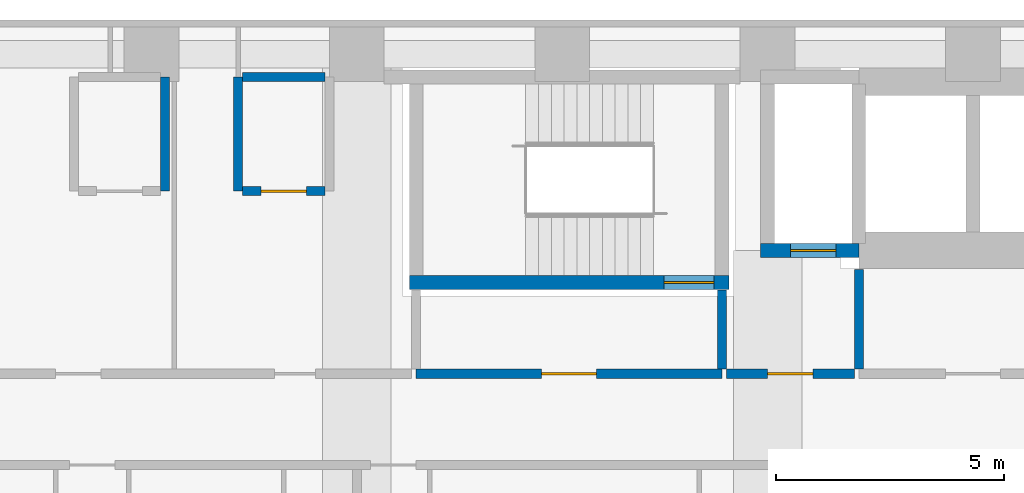
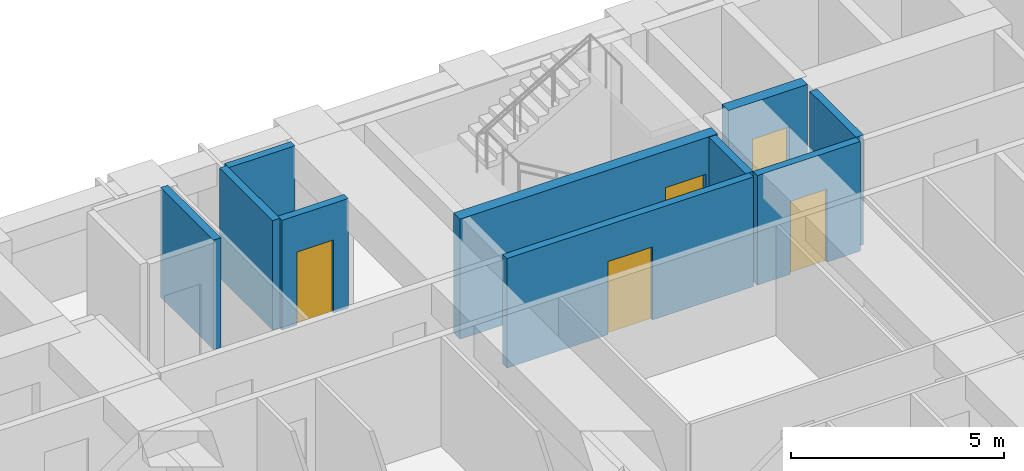
# One storey, part 8 of 13: 10 walls, 5 doors, 5 openings.
"""IFC4 building model written with IfcOpenShell, lengths in metres."""

from ifc_helpers import new_model, si_unit, direction, frame, frame_2d, origin, place, context, subcontext, project, spatial, rectangle, extrude, material, layer, layer_set, type_object, element, fill, save


model = new_model("IFC4")

# Units and contexts
model_context = context("Model", 3, precision=1e-05, world=origin(), true_north=direction((0.0, 1.0)))
body_context = subcontext(model_context, "Body", "Model", "MODEL_VIEW")
ifc_project = project(units=[si_unit("LENGTHUNIT", "METRE"), si_unit("AREAUNIT", "SQUARE_METRE"), si_unit("VOLUMEUNIT", "CUBIC_METRE"), si_unit("PLANEANGLEUNIT", "RADIAN"), si_unit("MASSUNIT", "GRAM", prefix="KILO")], contexts=[model_context])

# Site, building, storey
site_placement = place(None, origin())
site = spatial("IfcSite", under=ifc_project, at=site_placement, CompositionType="ELEMENT")
building_placement = place(site_placement, origin())
building = spatial("IfcBuilding", under=site, at=building_placement, Name="Firuza Court", CompositionType="ELEMENT")
storey_placement = place(building_placement, frame((0.0, 0.0, 104.60009765625)))
storey = spatial("IfcBuildingStorey", under=building, at=storey_placement, Name="L26", CompositionType="ELEMENT", Elevation=104.60009765625)

# Wall, opening, door
ifc_material_1 = material(Name="Concrete C60/75", Category="concrete")
ifc_layer_1 = layer(ifc_material_1, 0.300048828125)
ifc_layer_set_1 = layer_set([ifc_layer_1], Name="Concrete C60/75")
wall_type_1 = type_object("IfcWallType", Name="Core wall 300 C60/75", PredefinedType="SHEAR", material=ifc_layer_set_1)
wall_1_placement = place(storey_placement, frame((37.14990234375, 53.5, -0.300048828125), z_axis=(0.0, 0.0, 1.0), x_axis=(1.0, 0.0, 0.0)))
wall_1 = element("IfcWall", 1, at=wall_1_placement, inside=storey, type_object=wall_type_1, Name="Core wall stair L26", PredefinedType="SHEAR", context=body_context, shape_type="SweptSolid", body=[
    extrude(rectangle(XDim=7.0, YDim=0.300048828125, at=frame_2d((3.5, 0.0))), origin(), (0.0, 0.0, 1.0), 3.449951171875),
])
opening_1_placement = place(wall_1_placement, frame((5.580078125, 0.0, 0.300048828125)))
opening_1 = element("IfcOpeningElement", 2, at=opening_1_placement, cuts=wall_1, Name="Opening D26013", PredefinedType="OPENING", context=body_context, shape_type="SweptSolid", body=[
    extrude(rectangle(XDim=1.10009765625, YDim=2.10009765625, at=frame_2d((0.550048828125, 1.050048828125))), frame((0.0, 0.162109375, 0.0), z_axis=(0.0, -1.0, 0.0), x_axis=(1.0, 0.0, 0.0)), (0.0, 0.0, 1.0), 0.323974609375),
])
ifc_material_2 = material(Name="Timber door leaf in hardwood frame", Category="wood")
door_type_1 = type_object("IfcDoorType", Name="Stair door 1100", OperationType="SINGLE_SWING_LEFT", PredefinedType="DOOR", material=ifc_material_2)
door_1_placement = place(opening_1_placement, origin())
door_1 = element("IfcDoor", 3, at=door_1_placement, inside=storey, type_object=door_type_1, Name="Stair door S1", OperationType="SINGLE_SWING_RIGHT", OverallHeight=2.10009765625, OverallWidth=1.10009765625, PredefinedType="DOOR", context=body_context, shape_type="SweptSolid", body=[
    extrude(rectangle(XDim=1.10009765625, YDim=2.10009765625, at=frame_2d((0.550048828125, 1.050048828125))), frame((0.0, 0.02490234375, 0.0), z_axis=(0.0, -1.0, 0.0), x_axis=(1.0, 0.0, 0.0)), (0.0, 0.0, 1.0), 0.050048828125),
])
fill(opening_1, door_1)

wall_2_placement = place(storey_placement, frame((44.85009765625, 54.199951171875, -0.300048828125), z_axis=(0.0, 0.0, 1.0), x_axis=(1.0, 0.0, 0.0)))
wall_2 = element("IfcWall", 4, at=wall_2_placement, inside=storey, type_object=wall_type_1, Name="Core wall riser L26", PredefinedType="SHEAR", context=body_context, shape_type="SweptSolid", body=[
    extrude(rectangle(XDim=2.14990234375, YDim=0.300048828125, at=frame_2d((1.074951171875, 0.0))), origin(), (0.0, 0.0, 1.0), 3.449951171875),
])
opening_2_placement = place(wall_2_placement, frame((0.64990234375, 0.0, 0.300048828125)))
opening_2 = element("IfcOpeningElement", 5, at=opening_2_placement, cuts=wall_2, Name="Opening D26011", PredefinedType="OPENING", context=body_context, shape_type="SweptSolid", body=[
    extrude(rectangle(XDim=1.0, YDim=2.10009765625, at=frame_2d((0.5, 1.050048828125))), frame((0.0, 0.162109375, 0.0), z_axis=(0.0, -1.0, 0.0), x_axis=(1.0, 0.0, 0.0)), (0.0, 0.0, 1.0), 0.323974609375),
])
ifc_material_3 = material(Name="Timber door leaf in hardwood frame", Category="wood")
door_type_2 = type_object("IfcDoorType", Name="Riser door 1000", OperationType="SINGLE_SWING_LEFT", PredefinedType="DOOR", material=ifc_material_3)
door_2_placement = place(opening_2_placement, origin())
door_2 = element("IfcDoor", 6, at=door_2_placement, inside=storey, type_object=door_type_2, Name="Riser door R3", OperationType="SINGLE_SWING_LEFT", OverallHeight=2.10009765625, OverallWidth=1.0, PredefinedType="DOOR", context=body_context, shape_type="SweptSolid", body=[
    extrude(rectangle(XDim=1.0, YDim=2.10009765625, at=frame_2d((0.5, 1.050048828125))), frame((0.0, 0.02490234375, 0.0), z_axis=(0.0, -1.0, 0.0), x_axis=(1.0, 0.0, 0.0)), (0.0, 0.0, 1.0), 0.050048828125),
])
fill(opening_2, door_2)

ifc_material_4 = material(Name="Blockwork, plastered both sides", Category="masonry")
ifc_layer_2 = layer(ifc_material_4, 0.199951171875)
ifc_layer_set_2 = layer_set([ifc_layer_2], Name="Blockwork, plastered both sides")
wall_type_2 = type_object("IfcWallType", Name="Corridor wall 200", PredefinedType="PARTITIONING", material=ifc_layer_set_2)
wall_3_placement = place(storey_placement, frame((44.10009765625, 51.5, 0.0), z_axis=(0.0, 0.0, 1.0), x_axis=(1.0, 0.0, 0.0)))
wall_3 = element("IfcWall", 7, at=wall_3_placement, inside=storey, type_object=wall_type_2, Name="Corridor wall 200 L26", PredefinedType="PARTITIONING", context=body_context, shape_type="SweptSolid", body=[
    extrude(rectangle(XDim=2.7998046875, YDim=0.199951171875, at=frame_2d((1.39990234375, 0.0))), origin(), (0.0, 0.0, 1.0), 3.14990234375),
])
opening_3_placement = place(wall_3_placement, frame((0.89990234375, 0.0, 0.0)))
opening_3 = element("IfcOpeningElement", 8, at=opening_3_placement, cuts=wall_3, Name="Opening D26076", PredefinedType="OPENING", context=body_context, shape_type="SweptSolid", body=[
    extrude(rectangle(XDim=1.0, YDim=2.10009765625, at=frame_2d((0.5, 1.050048828125))), frame((0.0, 0.11181640625, 0.0), z_axis=(0.0, -1.0, 0.0), x_axis=(1.0, 0.0, 0.0)), (0.0, 0.0, 1.0), 0.223876953125),
])
ifc_material_5 = material(Name="Timber door leaf in hardwood frame", Category="wood")
door_type_3 = type_object("IfcDoorType", Name="Store door 1000", OperationType="SINGLE_SWING_LEFT", PredefinedType="DOOR", material=ifc_material_5)
door_3_placement = place(opening_3_placement, origin())
door_3 = element("IfcDoor", 9, at=door_3_placement, inside=storey, type_object=door_type_3, Name="Valet store door", OperationType="SINGLE_SWING_LEFT", OverallHeight=2.10009765625, OverallWidth=1.0, PredefinedType="DOOR", context=body_context, shape_type="SweptSolid", body=[
    extrude(rectangle(XDim=1.0, YDim=2.10009765625, at=frame_2d((0.5, 1.050048828125))), frame((0.0, 0.02490234375, 0.0), z_axis=(0.0, -1.0, 0.0), x_axis=(1.0, 0.0, 0.0)), (0.0, 0.0, 1.0), 0.050048828125),
])
fill(opening_3, door_3)

# Walls
ifc_material_6 = material(Name="Blockwork, fire-rated", Category="masonry")
ifc_layer_3 = layer(ifc_material_6, 0.199951171875)
ifc_layer_set_3 = layer_set([ifc_layer_3], Name="Blockwork, fire-rated")
wall_type_3 = type_object("IfcWallType", Name="Plant room wall 200", PredefinedType="PARTITIONING", material=ifc_layer_set_3)
for number, where, z_axis, x_axis, name in (
    (10, (31.800048828125, 55.5, 0.0), (0.0, 0.0, 1.0), (0.0, 1.0, 0.0), "Plant room wall 200 L26"),
    (11, (33.39990234375, 55.5, 0.0), (0.0, 0.0, 1.0), (0.0, 1.0, 0.0), "Plant room wall 200 L26"),
):
    element("IfcWall", number, at=place(storey_placement, frame(where, z_axis=z_axis, x_axis=x_axis)), inside=storey, type_object=wall_type_3, Name=name, PredefinedType="PARTITIONING", context=body_context, shape_type="SweptSolid", body=[
        extrude(rectangle(XDim=2.5, YDim=0.199951171875, at=frame_2d((1.25, 0.0))), origin(), (0.0, 0.0, 1.0), 3.14990234375),
    ])

# Wall, opening, door
wall_4_placement = place(storey_placement, frame((33.5, 55.5, 0.0), z_axis=(0.0, 0.0, 1.0), x_axis=(1.0, 0.0, 0.0)))
wall_4 = element("IfcWall", 12, at=wall_4_placement, inside=storey, type_object=wall_type_3, Name="Plant room wall 200 L26", PredefinedType="PARTITIONING", context=body_context, shape_type="SweptSolid", body=[
    extrude(rectangle(XDim=1.800048828125, YDim=0.199951171875, at=frame_2d((0.89990234375, 0.0))), origin(), (0.0, 0.0, 1.0), 3.14990234375),
])
opening_4_placement = place(wall_4_placement, frame((0.39990234375, 0.0, 0.0)))
opening_4 = element("IfcOpeningElement", 13, at=opening_4_placement, cuts=wall_4, Name="Opening D26080", PredefinedType="OPENING", context=body_context, shape_type="SweptSolid", body=[
    extrude(rectangle(XDim=1.0, YDim=2.10009765625, at=frame_2d((0.5, 1.050048828125))), frame((0.0, 0.11181640625, 0.0), z_axis=(0.0, -1.0, 0.0), x_axis=(1.0, 0.0, 0.0)), (0.0, 0.0, 1.0), 0.223876953125),
])
door_4_placement = place(opening_4_placement, origin())
door_4 = element("IfcDoor", 14, at=door_4_placement, inside=storey, type_object=door_type_2, Name="Duct riser door", OperationType="SINGLE_SWING_LEFT", OverallHeight=2.10009765625, OverallWidth=1.0, PredefinedType="DOOR", context=body_context, shape_type="SweptSolid", body=[
    extrude(rectangle(XDim=1.0, YDim=2.10009765625, at=frame_2d((0.5, 1.050048828125))), frame((0.0, 0.02490234375, 0.0), z_axis=(0.0, -1.0, 0.0), x_axis=(1.0, 0.0, 0.0)), (0.0, 0.0, 1.0), 0.050048828125),
])
fill(opening_4, door_4)

# Walls
wall_5_placement = place(storey_placement, frame((33.5, 58.0, 0.0), z_axis=(0.0, 0.0, 1.0), x_axis=(1.0, 0.0, 0.0)))
element("IfcWall", 15, at=wall_5_placement, inside=storey, type_object=wall_type_3, Name="Plant room wall 200 L26", PredefinedType="PARTITIONING", context=body_context, shape_type="SweptSolid", body=[
    extrude(rectangle(XDim=1.800048828125, YDim=0.199951171875, at=frame_2d((0.89990234375, 0.0))), origin(), (0.0, 0.0, 1.0), 3.14990234375),
])
ifc_layer_4 = layer(ifc_material_6, 0.199951171875)
ifc_layer_set_4 = layer_set([ifc_layer_4], Name="Blockwork, fire-rated")
wall_type_4 = type_object("IfcWallType", Name="Shaft wall 200", PredefinedType="PARTITIONING", material=ifc_layer_set_4)
wall_6_placement = place(storey_placement, frame((47.0, 51.60009765625, 0.0), z_axis=(0.0, 0.0, 1.0), x_axis=(0.0, 1.0, 0.0)))
element("IfcWall", 16, at=wall_6_placement, inside=storey, type_object=wall_type_4, Name="Shaft wall 200 L26", PredefinedType="PARTITIONING", context=body_context, shape_type="SweptSolid", body=[
    extrude(rectangle(XDim=2.179931640625, YDim=0.199951171875, at=frame_2d((1.08984375, 0.0))), origin(), (0.0, 0.0, 1.0), 3.14990234375),
])

# Wall, opening, door
wall_7_placement = place(storey_placement, frame((37.300048828125, 51.5, 0.0), z_axis=(0.0, 0.0, 1.0), x_axis=(1.0, 0.0, 0.0)))
wall_7 = element("IfcWall", 17, at=wall_7_placement, inside=storey, type_object=wall_type_4, Name="Shaft wall 200 L26", PredefinedType="PARTITIONING", context=body_context, shape_type="SweptSolid", body=[
    extrude(rectangle(XDim=6.699951171875, YDim=0.199951171875, at=frame_2d((3.35009765625, 0.0))), origin(), (0.0, 0.0, 1.0), 3.14990234375),
])
opening_5_placement = place(wall_7_placement, frame((2.75, 0.0, 0.0)))
opening_5 = element("IfcOpeningElement", 18, at=opening_5_placement, cuts=wall_7, Name="Opening D26006", PredefinedType="OPENING", context=body_context, shape_type="SweptSolid", body=[
    extrude(rectangle(XDim=1.199951171875, YDim=2.10009765625, at=frame_2d((0.60009765625, 1.050048828125))), frame((0.0, 0.11181640625, 0.0), z_axis=(0.0, -1.0, 0.0), x_axis=(1.0, 0.0, 0.0)), (0.0, 0.0, 1.0), 0.223876953125),
])
ifc_material_7 = material(Name="Timber door leaf in hardwood frame", Category="wood")
door_type_4 = type_object("IfcDoorType", Name="Lobby door 1200", OperationType="SINGLE_SWING_LEFT", PredefinedType="DOOR", material=ifc_material_7)
door_5_placement = place(opening_5_placement, origin())
door_5 = element("IfcDoor", 19, at=door_5_placement, inside=storey, type_object=door_type_4, Name="Lobby door", OperationType="SINGLE_SWING_LEFT", OverallHeight=2.10009765625, OverallWidth=1.199951171875, PredefinedType="DOOR", context=body_context, shape_type="SweptSolid", body=[
    extrude(rectangle(XDim=1.199951171875, YDim=2.10009765625, at=frame_2d((0.60009765625, 1.050048828125))), frame((0.0, 0.02490234375, 0.0), z_axis=(0.0, -1.0, 0.0), x_axis=(1.0, 0.0, 0.0)), (0.0, 0.0, 1.0), 0.050048828125),
])
fill(opening_5, door_5)

# Wall
wall_8_placement = place(storey_placement, frame((44.0, 51.60009765625, 0.0), z_axis=(0.0, 0.0, 1.0), x_axis=(0.0, 1.0, 0.0)))
element("IfcWall", 20, at=wall_8_placement, inside=storey, type_object=wall_type_4, Name="Shaft wall 200 L26", PredefinedType="PARTITIONING", context=body_context, shape_type="SweptSolid", body=[
    extrude(rectangle(XDim=1.72998046875, YDim=0.199951171875, at=frame_2d((0.864990234375, 0.0))), origin(), (0.0, 0.0, 1.0), 3.14990234375),
])

save(model, "model.ifc")
